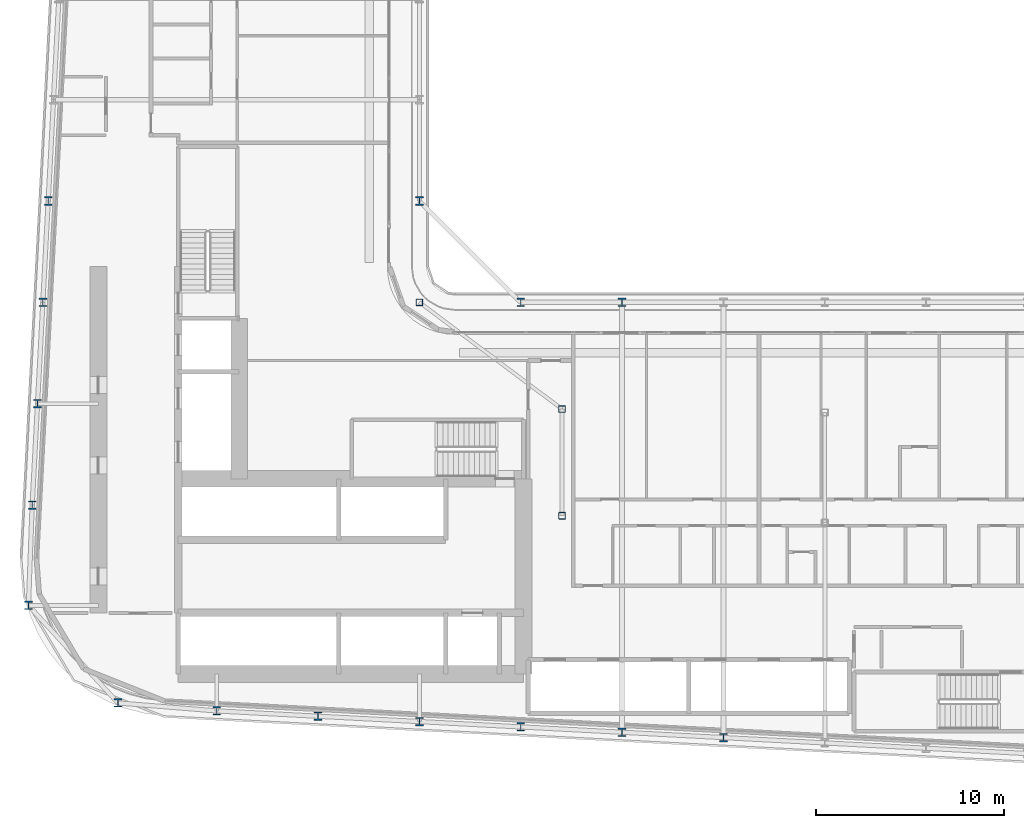
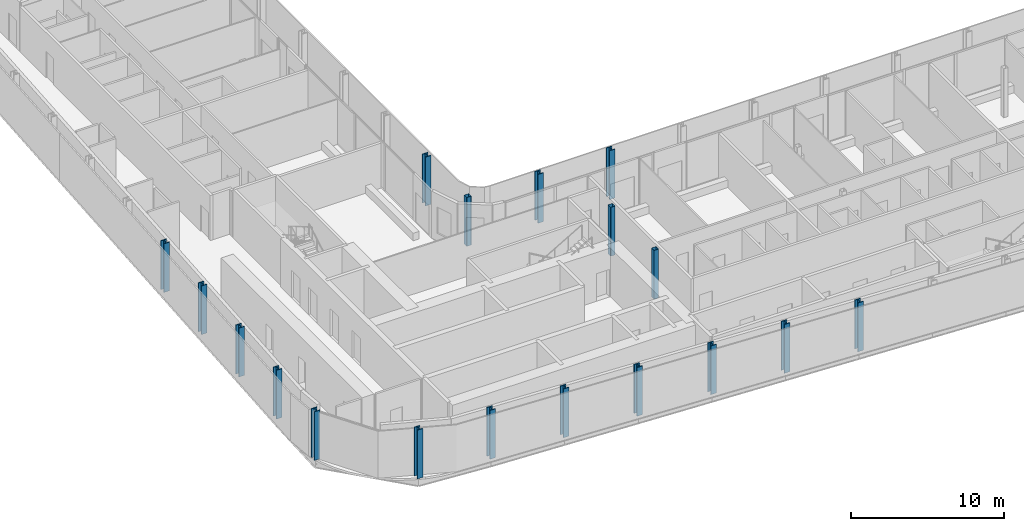
# One storey, part 1 of 28: 18 columns.
"""IFC4 building model written with IfcOpenShell, lengths in metres."""

from ifc_helpers import new_model, si_unit, direction, frame, origin, origin_2d, place, context, subcontext, project, spatial, hollow_rectangle, i_section, extrude, material, material_profile, profile_set, type_object, element, save


model = new_model("IFC4")

# Units and contexts
model_context = context("Model", 3, precision=1e-05, world=origin(), true_north=direction((0.0, 1.0)))
body_context = subcontext(model_context, "Body", "Model", "MODEL_VIEW")
ifc_project = project(units=[si_unit("LENGTHUNIT", "METRE"), si_unit("AREAUNIT", "SQUARE_METRE"), si_unit("VOLUMEUNIT", "CUBIC_METRE"), si_unit("PLANEANGLEUNIT", "RADIAN"), si_unit("MASSUNIT", "GRAM", prefix="KILO")], contexts=[model_context])

# Site, building, storey
site_placement = place(None, origin())
site = spatial("IfcSite", under=ifc_project, at=site_placement, CompositionType="ELEMENT")
building_placement = place(site_placement, origin())
building = spatial("IfcBuilding", under=site, at=building_placement, Name="Kheshtan School and Residences Tower", CompositionType="ELEMENT")
storey_placement = place(building_placement, frame((0.0, 0.0, 133.10009765625)))
storey = spatial("IfcBuildingStorey", under=building, at=storey_placement, Name="L31", CompositionType="ELEMENT", Elevation=133.10009765625)

# Columns
ifc_material_1 = material(Name="Steel ASTM A992 Grade 50", Category="steel")
ifc_material_profile_1 = material_profile(ifc_material_1, i_section(OverallWidth=0.41796875, OverallDepth=0.455078125, WebThickness=0.042236328125, FlangeThickness=0.067626953125, FilletRadius=0.013671875, at=origin_2d()), Name="W360x551")
ifc_profile_set_1 = profile_set([ifc_material_profile_1], Name="Steel ASTM A992 Grade 50")
column_type_1 = type_object("IfcColumnType", Name="Column C2 W360x551 ASTM A992 Grade 50", PredefinedType="COLUMN", material=ifc_profile_set_1)
for number, where, z_axis, x_axis, name in (
    (1, (63.800048828125, 22.410888671875, 0.0), (0.0, 0.0, 1.0), (1.0, 0.0, 0.0), "Column C016"),
    (2, (58.39990234375, 22.695068359375, 0.0), (0.0, 0.0, 1.0), (1.0, 0.0, 0.0), "Column C018"),
    (3, (53.0, 22.97998046875, 0.0), (0.0, 0.0, 1.0), (1.0, 0.0, 0.0), "Column C019"),
    (4, (47.60009765625, 23.263916015625, 0.0), (0.0, 0.0, 1.0), (1.0, 0.0, 0.0), "Column C020"),
    (5, (42.199951171875, 23.548095703125, 0.0), (0.0, 0.0, 1.0), (1.0, 0.0, 0.0), "Column C021"),
    (6, (36.800048828125, 23.83203125, 0.0), (0.0, 0.0, 1.0), (1.0, 0.0, 0.0), "Column C022"),
    (7, (31.5419921875, 24.257080078125, 0.0), (0.0, 0.0, 1.0), (1.0, 0.0, 0.0), "Column C025"),
    (8, (26.76904296875, 29.4541015625, 0.0), (0.0, 0.0, 1.0), (1.0, 0.0, 0.0), "Column C038"),
    (9, (26.968994140625, 34.800048828125, 0.0), (0.0, 0.0, 1.0), (1.0, 0.0, 0.0), "Column C052"),
    (10, (27.2529296875, 40.199951171875, 0.0), (0.0, 0.0, 1.0), (1.0, 0.0, 0.0), "Column C056"),
    (11, (27.537109375, 45.60009765625, 0.0), (0.0, 0.0, 1.0), (1.0, 0.0, 0.0), "Column C059"),
    (12, (53.0, 45.60009765625, 0.0), (0.0, 0.0, 1.0), (1.0, 0.0, 0.0), "Column C061"),
    (13, (58.39990234375, 45.60009765625, 0.0), (0.0, 0.0, 1.0), (1.0, 0.0, 0.0), "Column C062"),
    (14, (27.822021484375, 51.0, 0.0), (0.0, 0.0, 1.0), (1.0, 0.0, 0.0), "Column C078"),
    (15, (47.60009765625, 51.0, 0.0), (0.0, 0.0, 1.0), (1.0, 0.0, 0.0), "Column C079"),
):
    element("IfcColumn", number, at=place(storey_placement, frame(where, z_axis=z_axis, x_axis=x_axis)), inside=storey, type_object=column_type_1, Name=name, PredefinedType="COLUMN", context=body_context, shape_type="SweptSolid", body=[
        extrude(i_section(OverallWidth=0.41796875, OverallDepth=0.455078125, WebThickness=0.042236328125, FlangeThickness=0.067626953125, FilletRadius=0.013671875, at=origin_2d()), origin(), (0.0, 0.0, 1.0), 3.89990234375),
    ])
ifc_material_2 = material(Name="Steel ASTM A500 Grade C", Category="steel")
ifc_material_profile_2 = material_profile(ifc_material_2, hollow_rectangle(XDim=0.35595703125, YDim=0.35595703125, WallThickness=0.015869140625, InnerFilletRadius=0.015869140625, OuterFilletRadius=0.03173828125, at=origin_2d()), Name="HSS 356x356x15.9")
ifc_profile_set_2 = profile_set([ifc_material_profile_2], Name="Steel ASTM A500 Grade C")
column_type_2 = type_object("IfcColumnType", Name="Column IC1 HSS 356x356x15.9 ASTM A500 Grade C", PredefinedType="COLUMN", material=ifc_profile_set_2)
for number, where, z_axis, x_axis, name in (
    (16, (55.199951171875, 34.23193359375, 0.0), (0.0, 0.0, 1.0), (1.0, 0.0, 0.0), "Column C051"),
    (17, (55.199951171875, 39.916015625, 0.0), (0.0, 0.0, 1.0), (1.0, 0.0, 0.0), "Column C055"),
    (18, (47.60009765625, 45.60009765625, 0.0), (0.0, 0.0, 1.0), (1.0, 0.0, 0.0), "Column C060"),
):
    element("IfcColumn", number, at=place(storey_placement, frame(where, z_axis=z_axis, x_axis=x_axis)), inside=storey, type_object=column_type_2, Name=name, PredefinedType="COLUMN", context=body_context, shape_type="SweptSolid", body=[
        extrude(hollow_rectangle(XDim=0.35595703125, YDim=0.35595703125, WallThickness=0.015869140625, InnerFilletRadius=0.015869140625, OuterFilletRadius=0.03173828125, at=origin_2d()), origin(), (0.0, 0.0, 1.0), 3.89990234375),
    ])

save(model, "model.ifc")
